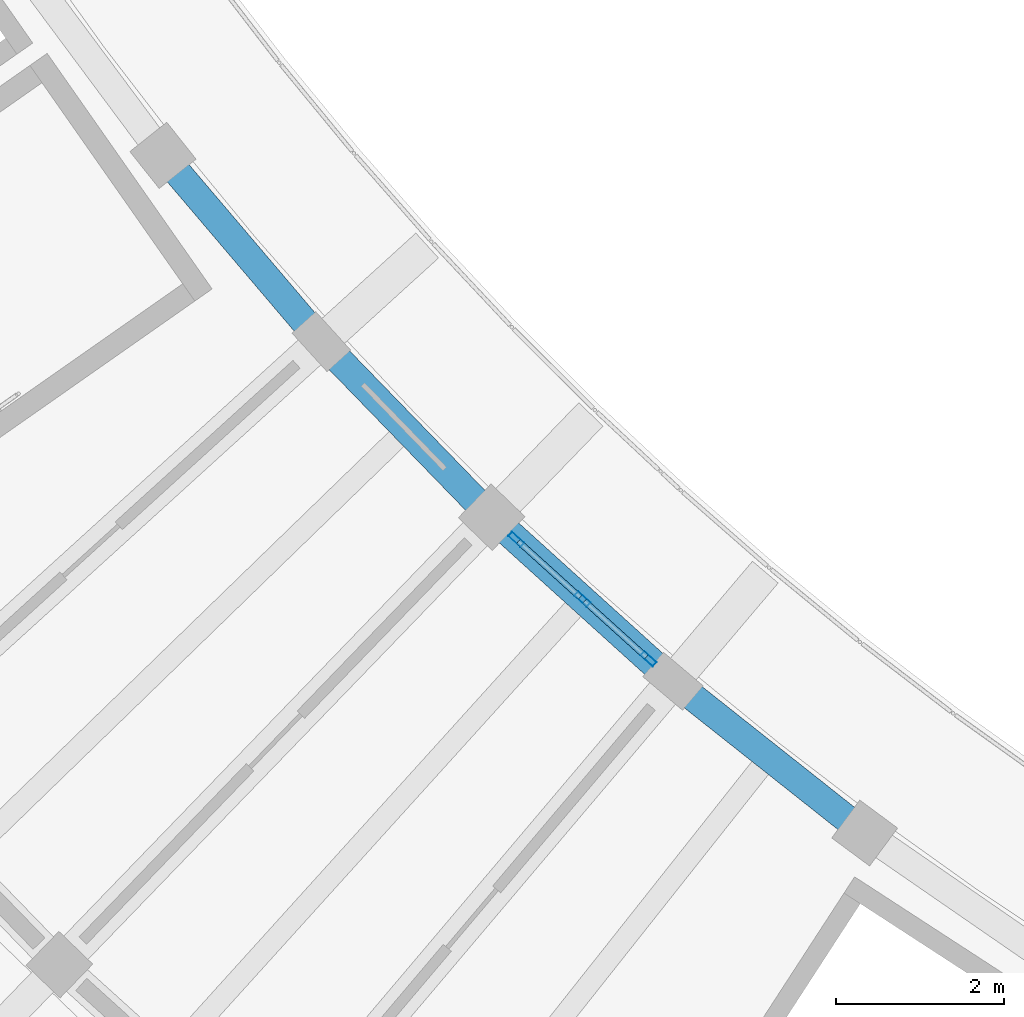
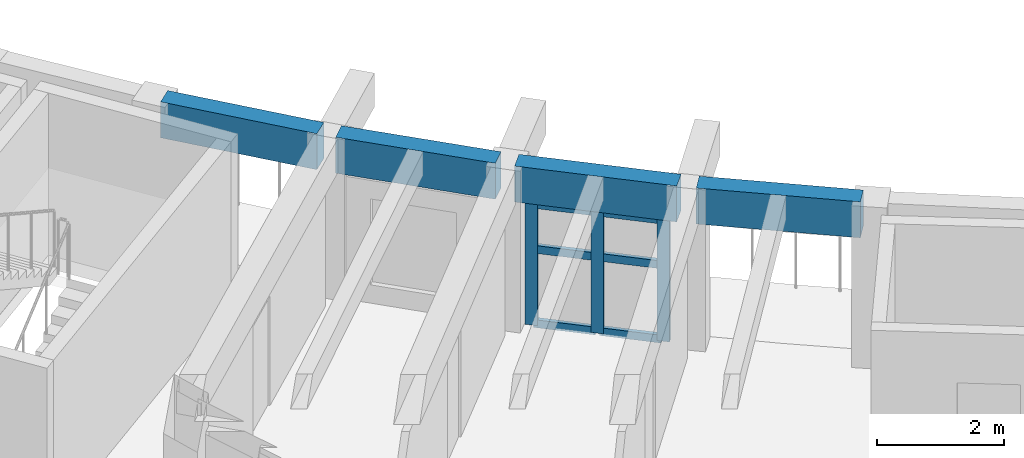
# One storey, part 7 of 96: 9 members, 4 beams, 1 element without a shape of its own.
"""IFC4 building model written with IfcOpenShell, lengths in metres."""

from ifc_helpers import new_model, si_unit, direction, frame, origin, origin_2d, place, context, subcontext, project, spatial, rectangle, hollow_rectangle, extrude, material, material_profile, profile_set, type_object, element, aggregate, save


model = new_model("IFC4")

# Units and contexts
model_context = context("Model", 3, precision=1e-05, world=origin(), true_north=direction((0.0, 1.0)))
body_context = subcontext(model_context, "Body", "Model", "MODEL_VIEW")
ifc_project = project(units=[si_unit("LENGTHUNIT", "METRE"), si_unit("AREAUNIT", "SQUARE_METRE"), si_unit("VOLUMEUNIT", "CUBIC_METRE"), si_unit("PLANEANGLEUNIT", "RADIAN"), si_unit("MASSUNIT", "GRAM", prefix="KILO")], contexts=[model_context])

# Site, building, storey
site_placement = place(None, origin())
site = spatial("IfcSite", under=ifc_project, at=site_placement, CompositionType="ELEMENT")
building_placement = place(site_placement, origin())
building = spatial("IfcBuilding", under=site, at=building_placement, Name="Tanwirah Colonnade Gardens", CompositionType="ELEMENT")
storey_placement = place(building_placement, frame((0.0, 0.0, 12.199951171875)))
storey = spatial("IfcBuildingStorey", under=building, at=storey_placement, Name="L03", CompositionType="ELEMENT", Elevation=12.199951171875)

# Curtain wall, members
ifc_material_1 = material(Name="Bronze-anodised aluminium and solar-control low-E glass", Category="aluminium")
curtain_wall_type = type_object("IfcCurtainWallType", Name="CW-GDN", PredefinedType="NOTDEFINED", material=ifc_material_1)
curtain_wall_placement = place(storey_placement, origin())
curtain_wall = element("IfcCurtainWall", 1, at=curtain_wall_placement, inside=storey, type_object=curtain_wall_type, Name="Curtain Wall CW-C-L03-IN-08", PredefinedType="NOTDEFINED")
ifc_material_2 = material(Name="Bronze-anodised aluminium", Category="aluminium")
ifc_material_profile_1 = material_profile(ifc_material_2, hollow_rectangle(XDim=0.070068359375, YDim=0.199951171875, WallThickness=0.00390625, at=origin_2d()), Name="CW-MUL 70x200x4")
ifc_profile_set_1 = profile_set([ifc_material_profile_1], Name="Bronze-anodised aluminium")
member_type_1 = type_object("IfcMemberType", Name="CWM-70x200", PredefinedType="MULLION", material=ifc_profile_set_1)
member_1_placement = place(storey_placement, frame((34.415283203125, 32.260498046875, 0.0), z_axis=(0.0, 0.0, 1.0), x_axis=(0.670750964954, 0.741682643058, 0.0)))
member_1 = element("IfcMember", 2, at=member_1_placement, type_object=member_type_1, Name="CW-GDN mullion 1", PredefinedType="MULLION", context=body_context, shape_type="SweptSolid", body=[
    extrude(hollow_rectangle(XDim=0.070068359375, YDim=0.199951171875, WallThickness=0.00390625, at=origin_2d()), origin(), (0.0, 0.0, 1.0), 2.35498046875),
])
member_2_placement = place(storey_placement, frame((35.201171875, 31.5498046875, 0.0), z_axis=(0.0, 0.0, 1.0), x_axis=(0.670750964954, 0.741682643058, 0.0)))
member_2 = element("IfcMember", 3, at=member_2_placement, type_object=member_type_1, Name="CW-GDN mullion 2", PredefinedType="MULLION", context=body_context, shape_type="SweptSolid", body=[
    extrude(hollow_rectangle(XDim=0.070068359375, YDim=0.199951171875, WallThickness=0.00390625, at=origin_2d()), origin(), (0.0, 0.0, 1.0), 2.35498046875),
])
member_3_placement = place(storey_placement, frame((35.98681640625, 30.83935546875, 0.0), z_axis=(0.0, 0.0, 1.0), x_axis=(0.670750964954, 0.741682643058, 0.0)))
member_3 = element("IfcMember", 4, at=member_3_placement, type_object=member_type_1, Name="CW-GDN mullion 3", PredefinedType="MULLION", context=body_context, shape_type="SweptSolid", body=[
    extrude(hollow_rectangle(XDim=0.070068359375, YDim=0.199951171875, WallThickness=0.00390625, at=origin_2d()), origin(), (0.0, 0.0, 1.0), 2.35498046875),
])
ifc_material_profile_2 = material_profile(ifc_material_2, hollow_rectangle(XDim=0.070068359375, YDim=0.14990234375, WallThickness=0.00390625, at=origin_2d()), Name="CW-TRN 70x150x4")
ifc_profile_set_2 = profile_set([ifc_material_profile_2], Name="Bronze-anodised aluminium")
member_type_2 = type_object("IfcMemberType", Name="CWT-70x150", PredefinedType="USERDEFINED", material=ifc_profile_set_2)
member_4_placement = place(storey_placement, frame((34.44140625, 32.23681640625, 0.03515625), z_axis=(0.74163516815, -0.670803456583, 0.0), x_axis=(0.670803456583, 0.74163516815, 0.0)))
member_4 = element("IfcMember", 5, at=member_4_placement, type_object=member_type_2, Name="CW-GDN transom 1.1", ObjectType="TRANSOM", PredefinedType="USERDEFINED", context=body_context, shape_type="SweptSolid", body=[
    extrude(hollow_rectangle(XDim=0.070068359375, YDim=0.14990234375, WallThickness=0.00390625, at=origin_2d()), origin(), (0.0, 0.0, 1.0), 0.9892578125),
])
member_5_placement = place(storey_placement, frame((34.44140625, 32.23681640625, 1.460205078125), z_axis=(0.74163516815, -0.670803456583, 0.0), x_axis=(0.670803456583, 0.74163516815, 0.0)))
member_5 = element("IfcMember", 6, at=member_5_placement, type_object=member_type_2, Name="CW-GDN transom 1.2", ObjectType="TRANSOM", PredefinedType="USERDEFINED", context=body_context, shape_type="SweptSolid", body=[
    extrude(hollow_rectangle(XDim=0.070068359375, YDim=0.14990234375, WallThickness=0.00390625, at=origin_2d()), origin(), (0.0, 0.0, 1.0), 0.9892578125),
])
member_6_placement = place(storey_placement, frame((34.44140625, 32.23681640625, 2.320068359375), z_axis=(0.74163516815, -0.670803456583, 0.0), x_axis=(0.670803456583, 0.74163516815, 0.0)))
member_6 = element("IfcMember", 7, at=member_6_placement, type_object=member_type_2, Name="CW-GDN transom 1.3", ObjectType="TRANSOM", PredefinedType="USERDEFINED", context=body_context, shape_type="SweptSolid", body=[
    extrude(hollow_rectangle(XDim=0.070068359375, YDim=0.14990234375, WallThickness=0.00390625, at=origin_2d()), origin(), (0.0, 0.0, 1.0), 0.9892578125),
])
member_7_placement = place(storey_placement, frame((35.22705078125, 31.5263671875, 0.03515625), z_axis=(0.741746192232, -0.670680688785, 0.0), x_axis=(0.670680688785, 0.741746192232, 0.0)))
member_7 = element("IfcMember", 8, at=member_7_placement, type_object=member_type_2, Name="CW-GDN transom 2.1", ObjectType="TRANSOM", PredefinedType="USERDEFINED", context=body_context, shape_type="SweptSolid", body=[
    extrude(hollow_rectangle(XDim=0.070068359375, YDim=0.14990234375, WallThickness=0.00390625, at=origin_2d()), origin(), (0.0, 0.0, 1.0), 0.989501953125),
])
member_8_placement = place(storey_placement, frame((35.22705078125, 31.5263671875, 1.460205078125), z_axis=(0.741746192232, -0.670680688785, 0.0), x_axis=(0.670680688785, 0.741746192232, 0.0)))
member_8 = element("IfcMember", 9, at=member_8_placement, type_object=member_type_2, Name="CW-GDN transom 2.2", ObjectType="TRANSOM", PredefinedType="USERDEFINED", context=body_context, shape_type="SweptSolid", body=[
    extrude(hollow_rectangle(XDim=0.070068359375, YDim=0.14990234375, WallThickness=0.00390625, at=origin_2d()), origin(), (0.0, 0.0, 1.0), 0.989501953125),
])
member_9_placement = place(storey_placement, frame((35.22705078125, 31.5263671875, 2.320068359375), z_axis=(0.741746192232, -0.670680688785, 0.0), x_axis=(0.670680688785, 0.741746192232, 0.0)))
member_9 = element("IfcMember", 10, at=member_9_placement, type_object=member_type_2, Name="CW-GDN transom 2.3", ObjectType="TRANSOM", PredefinedType="USERDEFINED", context=body_context, shape_type="SweptSolid", body=[
    extrude(hollow_rectangle(XDim=0.070068359375, YDim=0.14990234375, WallThickness=0.00390625, at=origin_2d()), origin(), (0.0, 0.0, 1.0), 0.989501953125),
])
aggregate(curtain_wall, [member_1, member_2, member_3, member_4, member_5, member_6, member_7, member_8, member_9])

# Beams
ifc_material_3 = material(Name="Precast concrete C40/50", Category="concrete")
ifc_material_profile_3 = material_profile(ifc_material_3, rectangle(XDim=0.330078125, YDim=0.68994140625, at=origin_2d()), Name="PC-SP 330x690")
ifc_profile_set_3 = profile_set([ifc_material_profile_3], Name="Precast concrete C40/50")
beam_type = type_object("IfcBeamType", Name="SP-PC280", PredefinedType="SPANDREL", material=ifc_profile_set_3)
beam_1_placement = place(storey_placement, frame((30.310302734375, 36.71484375, 2.760009765625), z_axis=(0.647811402053, -0.761800753065, 0.0), x_axis=(0.761800753065, 0.647811402053, 0.0)))
element("IfcBeam", 11, at=beam_1_placement, inside=storey, type_object=beam_type, Name="Block C L03 Circumferential Beam 6-R0", PredefinedType="SPANDREL", context=body_context, shape_type="SweptSolid", body=[
    extrude(rectangle(XDim=0.330078125, YDim=0.68994140625, at=origin_2d()), origin(), (0.0, 0.0, 1.0), 2.608642578125),
])
beam_2_placement = place(storey_placement, frame((32.20166015625, 34.505615234375, 2.760009765625), z_axis=(0.696262751108, -0.717787002822, 0.0), x_axis=(0.717787002822, 0.696262751108, 0.0)))
element("IfcBeam", 12, at=beam_2_placement, inside=storey, type_object=beam_type, Name="Block C L03 Circumferential Beam 7-R0", PredefinedType="SPANDREL", context=body_context, shape_type="SweptSolid", body=[
    extrude(rectangle(XDim=0.330078125, YDim=0.68994140625, at=origin_2d()), origin(), (0.0, 0.0, 1.0), 2.60888671875),
])
beam_3_placement = place(storey_placement, frame((34.233642578125, 32.4248046875, 2.760009765625), z_axis=(0.741686528432, -0.670746668678, 0.0), x_axis=(0.670746668678, 0.741686528432, 0.0)))
element("IfcBeam", 13, at=beam_3_placement, inside=storey, type_object=beam_type, Name="Block C L03 Circumferential Beam 8-R0", PredefinedType="SPANDREL", context=body_context, shape_type="SweptSolid", body=[
    extrude(rectangle(XDim=0.330078125, YDim=0.68994140625, at=origin_2d()), origin(), (0.0, 0.0, 1.0), 2.608642578125),
])
beam_4_placement = place(storey_placement, frame((36.3974609375, 30.481201171875, 2.760009765625), z_axis=(0.783945239852, -0.62082997746, 0.0), x_axis=(0.62082997746, 0.783945239852, 0.0)))
element("IfcBeam", 14, at=beam_4_placement, inside=storey, type_object=beam_type, Name="Block C L03 Circumferential Beam 9-R0", PredefinedType="SPANDREL", context=body_context, shape_type="SweptSolid", body=[
    extrude(rectangle(XDim=0.330078125, YDim=0.68994140625, at=origin_2d()), origin(), (0.0, 0.0, 1.0), 2.60888671875),
])

save(model, "model.ifc")
